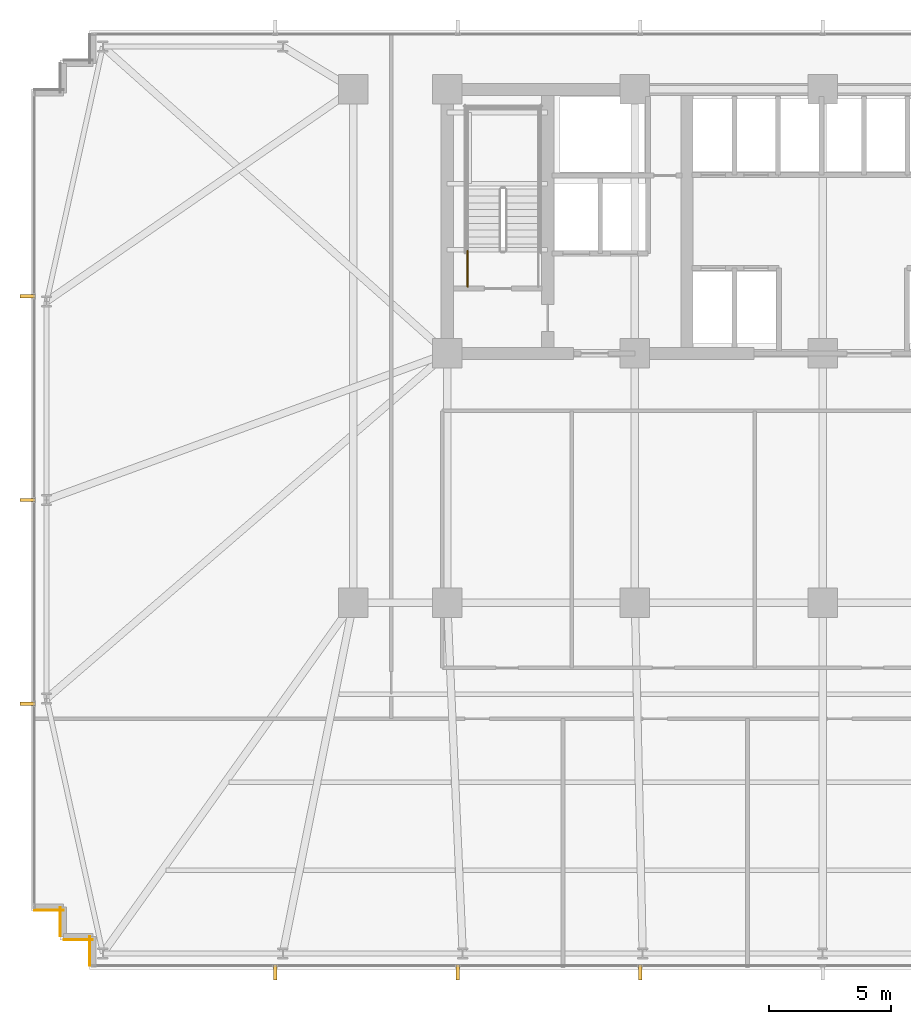
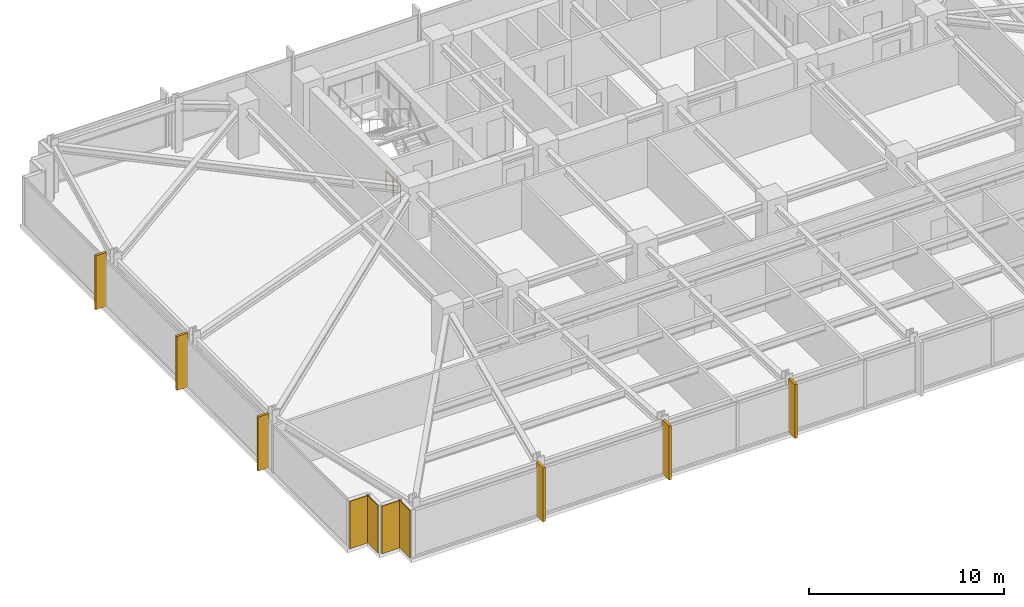
# One storey, part 27 of 32: 6 shading devices, 4 coverings, 1 railing.
"""IFC4 building model written with IfcOpenShell, lengths in metres."""

from ifc_helpers import new_model, si_unit, direction, frame, frame_2d, origin, origin_2d, place, context, subcontext, project, spatial, rectangle, circle, extrude, material, layer, layer_set, type_object, element, save


model = new_model("IFC4")

# Units and contexts
model_context = context("Model", 3, precision=1e-05, world=origin(), true_north=direction((0.0, 1.0)))
body_context = subcontext(model_context, "Body", "Model", "MODEL_VIEW")
ifc_project = project(units=[si_unit("LENGTHUNIT", "METRE"), si_unit("AREAUNIT", "SQUARE_METRE"), si_unit("VOLUMEUNIT", "CUBIC_METRE"), si_unit("PLANEANGLEUNIT", "RADIAN"), si_unit("MASSUNIT", "GRAM", prefix="KILO")], contexts=[model_context])

# Site, building, storey
site_placement = place(None, origin())
site = spatial("IfcSite", under=ifc_project, at=site_placement, CompositionType="ELEMENT")
building_placement = place(site_placement, origin())
building = spatial("IfcBuilding", under=site, at=building_placement, Name="Yelkora Congress Tower", CompositionType="ELEMENT")
storey_placement = place(building_placement, frame((0.0, 0.0, 74.60009765625)))
storey = spatial("IfcBuildingStorey", under=building, at=storey_placement, Name="L19", CompositionType="ELEMENT", Elevation=74.60009765625)

# Coverings
ifc_material_1 = material(Name="Anatolian bush-hammered limestone", Category="masonry")
ifc_layer_1 = layer(ifc_material_1, 0.0400390625)
ifc_layer_set_1 = layer_set([ifc_layer_1], Name="Anatolian bush-hammered limestone")
covering_type = type_object("IfcCoveringType", Name="COV-CLAD-SPANDREL-40", PredefinedType="CLADDING", material=ifc_layer_set_1)
for number, where, z_axis, x_axis, name in (
    (1, (8.405029296875, 10.340087890625, 0.0), (0.0, 0.0, 1.0), (0.0, 1.0, 0.0), "L19 Anatolian Limestone Cladding EW-L19-SR01"),
    (2, (8.5400390625, 11.405029296875, 0.0), (0.0, 0.0, 1.0), (-1.0, 0.0, 0.0), "L19 Anatolian Limestone Cladding EW-L19-SR02"),
    (3, (7.205078125, 11.5400390625, 0.0), (0.0, 0.0, 1.0), (0.0, 1.0, 0.0), "L19 Anatolian Limestone Cladding EW-L19-SR03"),
):
    element("IfcCovering", number, at=place(storey_placement, frame(where, z_axis=z_axis, x_axis=x_axis)), inside=storey, type_object=covering_type, Name=name, PredefinedType="CLADDING", context=body_context, shape_type="SweptSolid", body=[
        extrude(rectangle(XDim=1.199951171875, YDim=0.0400390625, at=frame_2d((0.60009765625, 0.0))), origin(), (0.0, 0.0, 1.0), 2.97998046875),
    ])
covering_placement = place(storey_placement, frame((7.340087890625, 12.60498046875, 0.0), z_axis=(0.0, 0.0, 1.0), x_axis=(-1.0, 0.0, 0.0)))
element("IfcCovering", 4, at=covering_placement, inside=storey, type_object=covering_type, Name="L19 Anatolian Limestone Cladding EW-L19-SR04", PredefinedType="CLADDING", context=body_context, shape_type="SweptSolid", body=[
    extrude(rectangle(XDim=1.2001953125, YDim=0.0400390625, at=frame_2d((0.60009765625, 0.0))), origin(), (0.0, 0.0, 1.0), 2.97998046875),
])

# Railing
ifc_material_2 = material(Name="Painted galvanised steel stair well guard with vertical infill", Category="steel")
ifc_layer_2 = layer(ifc_material_2, 0.06005859375)
ifc_layer_set_2 = layer_set([ifc_layer_2], Name="Painted galvanised steel stair well guard with vertical infill")
railing_type = type_object("IfcRailingType", Name="RAIL-STAIR-GUARD-1120", PredefinedType="GUARDRAIL", material=ifc_layer_set_2)
railing_placement = place(storey_placement, frame((23.8701171875, 38.1201171875, 0.0)))
element("IfcRailing", 5, at=railing_placement, inside=storey, type_object=railing_type, Name="ST-01 L19 Stair Well Guardrail 9", PredefinedType="GUARDRAIL", context=body_context, shape_type="SweptSolid", body=[
    extrude(circle(Radius=0.02392578125, at=origin_2d()), frame((0.0, 0.0, 1.09619140625), z_axis=(0.0, 1.0, 0.0), x_axis=(-1.0, 0.0, 0.0)), (0.0, 0.0, 1.0), 1.47998046875),
    extrude(circle(Radius=0.02099609375, at=origin_2d()), origin(), (0.0, 0.0, 1.0), 1.072021484375),
    extrude(circle(Radius=0.02099609375, at=origin_2d()), frame((0.0, 0.739990234375, 0.0)), (0.0, 0.0, 1.0), 1.072021484375),
    extrude(circle(Radius=0.02099609375, at=origin_2d()), frame((0.0, 1.47998046875, 0.0)), (0.0, 0.0, 1.0), 1.072021484375),
])

# Shading devices
ifc_material_3 = material(Name="Champagne anodised aluminium", Category="aluminium")
ifc_layer_3 = layer(ifc_material_3, 3.39990234375)
ifc_layer_set_3 = layer_set([ifc_layer_3], Name="Champagne anodised aluminium")
shading_device_type = type_object("IfcShadingDeviceType", Name="SHD-FIN-ALU-640", PredefinedType="USERDEFINED", material=ifc_layer_set_3)
for number, where, z_axis, x_axis, name in (
    (6, (5.8798828125, 21.070068359375, -0.030029296875), (0.0, 0.0, 1.0), (0.0, 1.0, 0.0), "L19 Vertical Anodised Solar Fin 5-1"),
    (7, (5.8798828125, 29.39990234375, -0.030029296875), (0.0, 0.0, 1.0), (0.0, 1.0, 0.0), "L19 Vertical Anodised Solar Fin 5-2"),
    (8, (5.8798828125, 37.72998046875, -0.030029296875), (0.0, 0.0, 1.0), (0.0, 1.0, 0.0), "L19 Vertical Anodised Solar Fin 5-3"),
    (9, (30.93505859375, 10.080078125, -0.030029296875), (0.0, 0.0, 1.0), (-1.0, 0.0, 0.0), "L19 Vertical Anodised Solar Fin 20-5"),
    (10, (23.469970703125, 10.080078125, -0.030029296875), (0.0, 0.0, 1.0), (-1.0, 0.0, 0.0), "L19 Vertical Anodised Solar Fin 20-6"),
    (11, (16.0048828125, 10.080078125, -0.030029296875), (0.0, 0.0, 1.0), (-1.0, 0.0, 0.0), "L19 Vertical Anodised Solar Fin 20-7"),
):
    element("IfcShadingDevice", number, at=place(storey_placement, frame(where, z_axis=z_axis, x_axis=x_axis)), inside=storey, type_object=shading_device_type, Name=name, ObjectType="FIN", PredefinedType="USERDEFINED", context=body_context, shape_type="SweptSolid", body=[
        extrude(rectangle(XDim=0.139892578125, YDim=0.639892578125, at=origin_2d()), origin(), (0.0, 0.0, 1.0), 3.3798828125),
    ])

save(model, "model.ifc")
